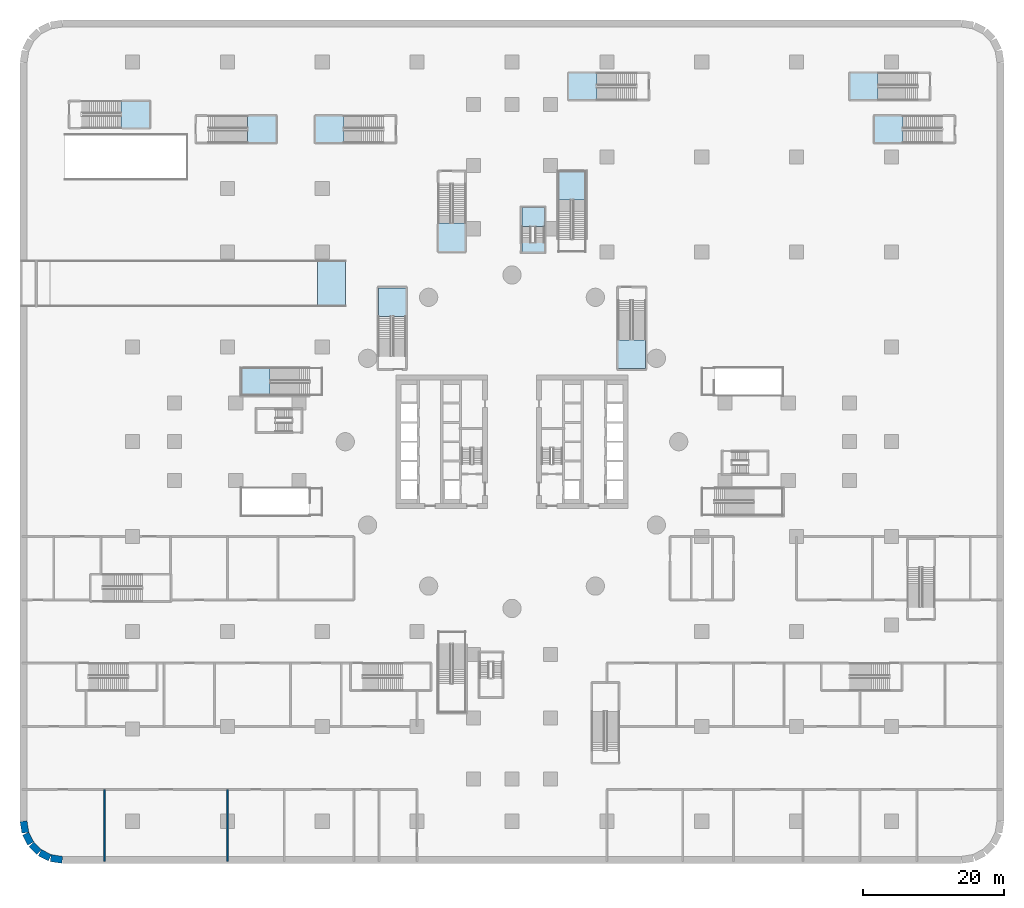
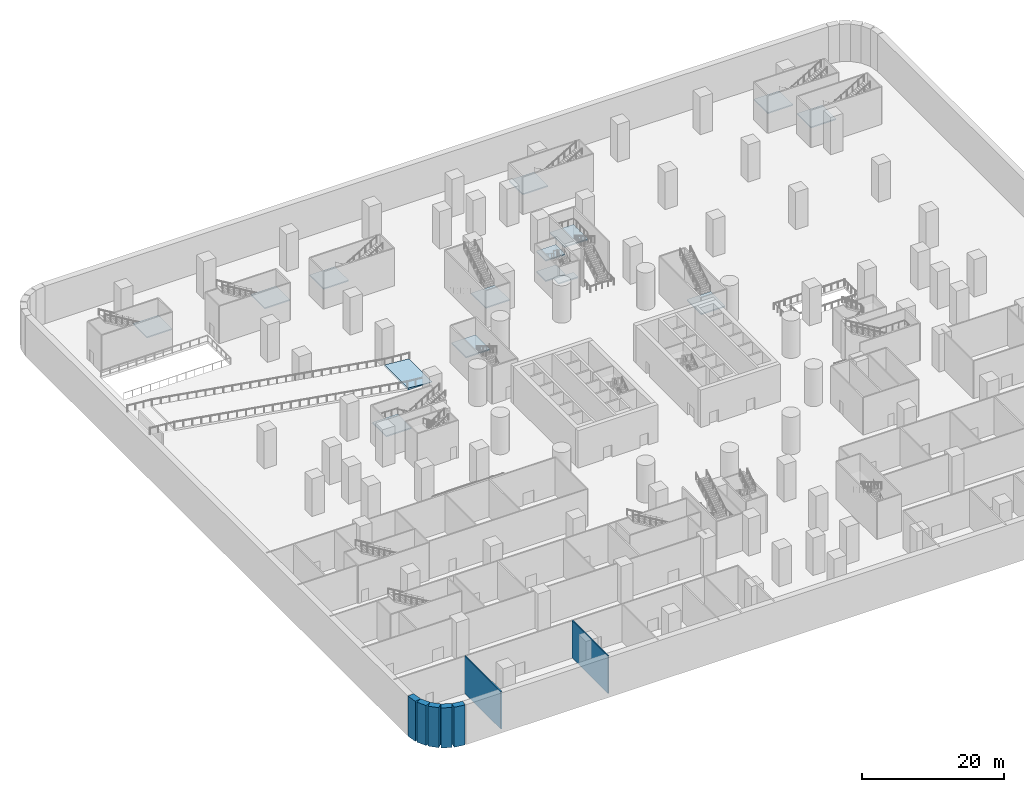
# One storey, part 2 of 37: 15 slabs, 7 walls, 12 elements without a shape of their own.
"""IFC4 building model written with IfcOpenShell, lengths in metres."""

from ifc_helpers import new_model, si_unit, direction, frame, frame_2d, origin, place, context, subcontext, project, spatial, polyline, rectangle, outline, extrude, material, layer, layer_set, type_object, element, aggregate, save


model = new_model("IFC4")

# Units and contexts
model_context = context("Model", 3, precision=1e-05, world=origin(), true_north=direction((0.0, 1.0)))
body_context = subcontext(model_context, "Body", "Model", "MODEL_VIEW")
ifc_project = project(units=[si_unit("LENGTHUNIT", "METRE"), si_unit("AREAUNIT", "SQUARE_METRE"), si_unit("VOLUMEUNIT", "CUBIC_METRE"), si_unit("PLANEANGLEUNIT", "RADIAN"), si_unit("MASSUNIT", "GRAM", prefix="KILO")], contexts=[model_context])

# Site, building, storey
site_placement = place(None, origin())
site = spatial("IfcSite", under=ifc_project, at=site_placement, CompositionType="ELEMENT")
building_placement = place(site_placement, origin())
building = spatial("IfcBuilding", under=site, at=building_placement, Name="Tamarind Cross Interchange Tower", CompositionType="ELEMENT")
storey_placement = place(building_placement, frame((0.0, 0.0, -7.0)))
storey = spatial("IfcBuildingStorey", under=building, at=storey_placement, Name="B1", CompositionType="ELEMENT", Elevation=-7.0)

# Slab
ifc_material_1 = material(Name="Concrete C40/50", Category="concrete")
ifc_layer_1 = layer(ifc_material_1, 0.35009765625)
ifc_layer_set_1 = layer_set([ifc_layer_1], Name="Concrete C40/50")
slab_type_1 = type_object("IfcSlabType", Name="Car park ramp slab", PredefinedType="LANDING", material=ifc_layer_set_1)
slab_1_placement = place(storey_placement, frame((-23.699951171875, 22.5, 0.0), z_axis=(0.0, 0.0, 1.0), x_axis=(-1.0, 0.0, 0.0)))
element("IfcSlab", 1, at=slab_1_placement, inside=storey, type_object=slab_type_1, Name="Car park ramp RA slab 1", PredefinedType="LANDING", context=body_context, shape_type="SweptSolid", body=[
    extrude(outline(polyline([(0.0, 0.0), (4.0, 0.0), (4.0, 0.333251953125), (0.0, 0.0), (0.0, 0.0)])), frame((0.0, 3.300048828125, 0.0), z_axis=(0.0, -1.0, 0.0), x_axis=(1.0, 0.0, 0.0)), (0.0, 0.0, 1.0), 6.60009765625),
])

# Stair, slab
ifc_material_2 = material(Name="Public stair")
stair_type_1 = type_object("IfcStairType", Name="Public stair", PredefinedType="HALF_TURN_STAIR", material=ifc_material_2)
stair_1_placement = place(storey_placement, origin())
stair_1 = element("IfcStair", 2, at=stair_1_placement, inside=storey, type_object=stair_type_1, Name="B1 public stair PS-W", PredefinedType="HALF_TURN_STAIR")
ifc_material_3 = material(Name="Concrete C40", Category="concrete")
ifc_layer_2 = layer(ifc_material_3, 0.199951171875)
ifc_layer_set_2 = layer_set([ifc_layer_2], Name="Concrete C40")
slab_type_2 = type_object("IfcSlabType", Name="Public stair landing", PredefinedType="LANDING", material=ifc_layer_set_2)
slab_2_placement = place(storey_placement, frame((0.0, 0.0, 3.300048828125)))
slab_2 = element("IfcSlab", 3, at=slab_2_placement, type_object=slab_type_2, Name="PS-W landing 1", PredefinedType="LANDING", context=body_context, shape_type="SweptSolid", body=[
    extrude(outline(polyline([(-34.39990234375, 10.5), (-38.5, 10.5), (-38.5, 6.60009765625), (-34.39990234375, 6.60009765625), (-34.39990234375, 10.5)])), origin(), (0.0, 0.0, 1.0), 0.199951171875),
])
aggregate(stair_1, [slab_2])

stair_2_placement = place(storey_placement, origin())
stair_2 = element("IfcStair", 4, at=stair_2_placement, inside=storey, type_object=stair_type_1, Name="B1 public stair PS-N", PredefinedType="HALF_TURN_STAIR")
slab_3_placement = place(storey_placement, frame((0.0, 0.0, 3.300048828125)))
slab_3 = element("IfcSlab", 5, at=slab_3_placement, type_object=slab_type_2, Name="PS-N landing 1", PredefinedType="LANDING", context=body_context, shape_type="SweptSolid", body=[
    extrude(outline(polyline([(10.5, 34.39990234375), (10.5, 38.5), (6.60009765625, 38.5), (6.60009765625, 34.39990234375), (10.5, 34.39990234375)])), origin(), (0.0, 0.0, 1.0), 0.199951171875),
])
aggregate(stair_2, [slab_3])

stair_3_placement = place(storey_placement, origin())
stair_3 = element("IfcStair", 6, at=stair_3_placement, inside=storey, type_object=stair_type_1, Name="B1 exit stair XS-W", PredefinedType="HALF_TURN_STAIR")
slab_4_placement = place(storey_placement, frame((0.0, 0.0, 3.300048828125)))
slab_4 = element("IfcSlab", 7, at=slab_4_placement, type_object=slab_type_2, Name="XS-W landing 1", PredefinedType="LANDING", context=body_context, shape_type="SweptSolid", body=[
    extrude(outline(polyline([(-15.10009765625, 17.800048828125), (-15.10009765625, 21.89990234375), (-19.0, 21.89990234375), (-19.0, 17.800048828125), (-15.10009765625, 17.800048828125)])), origin(), (0.0, 0.0, 1.0), 0.199951171875),
])
aggregate(stair_3, [slab_4])

stair_4_placement = place(storey_placement, origin())
stair_4 = element("IfcStair", 8, at=stair_4_placement, inside=storey, type_object=stair_type_1, Name="B1 exit stair XS-E", PredefinedType="HALF_TURN_STAIR")
slab_5_placement = place(storey_placement, frame((0.0, 0.0, 3.300048828125)))
slab_5 = element("IfcSlab", 9, at=slab_5_placement, type_object=slab_type_2, Name="XS-E landing 1", PredefinedType="LANDING", context=body_context, shape_type="SweptSolid", body=[
    extrude(outline(polyline([(15.10009765625, 14.5), (15.10009765625, 10.39990234375), (19.0, 10.39990234375), (19.0, 14.5), (15.10009765625, 14.5)])), origin(), (0.0, 0.0, 1.0), 0.199951171875),
])
aggregate(stair_4, [slab_5])

stair_5_placement = place(storey_placement, origin())
stair_5 = element("IfcStair", 10, at=stair_5_placement, inside=storey, type_object=stair_type_1, Name="B1 exit stair XS-P01", PredefinedType="HALF_TURN_STAIR")
slab_6_placement = place(storey_placement, frame((0.0, 0.0, 3.300048828125)))
slab_6 = element("IfcSlab", 11, at=slab_6_placement, type_object=slab_type_2, Name="XS-P01 landing 1", PredefinedType="LANDING", context=body_context, shape_type="SweptSolid", body=[
    extrude(outline(polyline([(52.10009765625, 52.5), (48.0, 52.5), (48.0, 48.60009765625), (52.10009765625, 48.60009765625), (52.10009765625, 52.5)])), origin(), (0.0, 0.0, 1.0), 0.199951171875),
])
aggregate(stair_5, [slab_6])

stair_6_placement = place(storey_placement, origin())
stair_6 = element("IfcStair", 12, at=stair_6_placement, inside=storey, type_object=stair_type_1, Name="B1 exit stair XS-P02", PredefinedType="HALF_TURN_STAIR")
slab_7_placement = place(storey_placement, frame((0.0, 0.0, 3.300048828125)))
slab_7 = element("IfcSlab", 13, at=slab_7_placement, type_object=slab_type_2, Name="XS-P02 landing 1", PredefinedType="LANDING", context=body_context, shape_type="SweptSolid", body=[
    extrude(outline(polyline([(55.60009765625, 46.39990234375), (51.5, 46.39990234375), (51.5, 42.5), (55.60009765625, 42.5), (55.60009765625, 46.39990234375)])), origin(), (0.0, 0.0, 1.0), 0.199951171875),
])
aggregate(stair_6, [slab_7])

stair_7_placement = place(storey_placement, origin())
stair_7 = element("IfcStair", 14, at=stair_7_placement, inside=storey, type_object=stair_type_1, Name="B1 exit stair XS-P03", PredefinedType="HALF_TURN_STAIR")
slab_8_placement = place(storey_placement, frame((0.0, 0.0, 3.300048828125)))
slab_8 = element("IfcSlab", 15, at=slab_8_placement, type_object=slab_type_2, Name="XS-P03 landing 1", PredefinedType="LANDING", context=body_context, shape_type="SweptSolid", body=[
    extrude(outline(polyline([(12.10009765625, 52.5), (8.0, 52.5), (8.0, 48.60009765625), (12.10009765625, 48.60009765625), (12.10009765625, 52.5)])), origin(), (0.0, 0.0, 1.0), 0.199951171875),
])
aggregate(stair_7, [slab_8])

stair_8_placement = place(storey_placement, origin())
stair_8 = element("IfcStair", 16, at=stair_8_placement, inside=storey, type_object=stair_type_1, Name="B1 exit stair XS-P04", PredefinedType="HALF_TURN_STAIR")
slab_9_placement = place(storey_placement, frame((0.0, 0.0, 3.300048828125)))
slab_9 = element("IfcSlab", 17, at=slab_9_placement, type_object=slab_type_2, Name="XS-P04 landing 1", PredefinedType="LANDING", context=body_context, shape_type="SweptSolid", body=[
    extrude(outline(polyline([(-37.60009765625, 42.5), (-33.5, 42.5), (-33.5, 46.39990234375), (-37.60009765625, 46.39990234375), (-37.60009765625, 42.5)])), origin(), (0.0, 0.0, 1.0), 0.199951171875),
])
aggregate(stair_8, [slab_9])

stair_9_placement = place(storey_placement, origin())
stair_9 = element("IfcStair", 18, at=stair_9_placement, inside=storey, type_object=stair_type_1, Name="B1 exit stair XS-P05", PredefinedType="HALF_TURN_STAIR")
slab_10_placement = place(storey_placement, frame((0.0, 0.0, 3.300048828125)))
slab_10 = element("IfcSlab", 19, at=slab_10_placement, type_object=slab_type_2, Name="XS-P05 landing 1", PredefinedType="LANDING", context=body_context, shape_type="SweptSolid", body=[
    extrude(outline(polyline([(-55.60009765625, 44.60009765625), (-51.5, 44.60009765625), (-51.5, 48.5), (-55.60009765625, 48.5), (-55.60009765625, 44.60009765625)])), origin(), (0.0, 0.0, 1.0), 0.199951171875),
])
aggregate(stair_9, [slab_10])

stair_10_placement = place(storey_placement, origin())
stair_10 = element("IfcStair", 20, at=stair_10_placement, inside=storey, type_object=stair_type_1, Name="B1 exit stair XS-P06", PredefinedType="HALF_TURN_STAIR")
slab_11_placement = place(storey_placement, frame((0.0, 0.0, 3.300048828125)))
slab_11 = element("IfcSlab", 21, at=slab_11_placement, type_object=slab_type_2, Name="XS-P06 landing 1", PredefinedType="LANDING", context=body_context, shape_type="SweptSolid", body=[
    extrude(outline(polyline([(-23.89990234375, 46.39990234375), (-28.0, 46.39990234375), (-28.0, 42.5), (-23.89990234375, 42.5), (-23.89990234375, 46.39990234375)])), origin(), (0.0, 0.0, 1.0), 0.199951171875),
])
aggregate(stair_10, [slab_11])

stair_11_placement = place(storey_placement, origin())
stair_11 = element("IfcStair", 22, at=stair_11_placement, inside=storey, type_object=stair_type_1, Name="B1 exit stair XS-P13", PredefinedType="HALF_TURN_STAIR")
slab_12_placement = place(storey_placement, frame((0.0, 0.0, 3.300048828125)))
slab_12 = element("IfcSlab", 23, at=slab_12_placement, type_object=slab_type_2, Name="XS-P13 landing 1", PredefinedType="LANDING", context=body_context, shape_type="SweptSolid", body=[
    extrude(outline(polyline([(-10.5, 31.10009765625), (-10.5, 27.0), (-6.60009765625, 27.0), (-6.60009765625, 31.10009765625), (-10.5, 31.10009765625)])), origin(), (0.0, 0.0, 1.0), 0.199951171875),
])
aggregate(stair_11, [slab_12])

# Stair, slabs
ifc_material_4 = material(Name="Exit stair")
stair_type_2 = type_object("IfcStairType", Name="Exit stair", PredefinedType="HALF_TURN_STAIR", material=ifc_material_4)
stair_12_placement = place(storey_placement, origin())
stair_12 = element("IfcStair", 24, at=stair_12_placement, inside=storey, type_object=stair_type_2, Name="B1 exit stair ST4", PredefinedType="HALF_TURN_STAIR")
ifc_layer_3 = layer(ifc_material_3, 0.199951171875)
ifc_layer_set_3 = layer_set([ifc_layer_3], Name="Concrete C40")
slab_type_3 = type_object("IfcSlabType", Name="Stair landing", PredefinedType="LANDING", material=ifc_layer_set_3)
slab_13_placement = place(storey_placement, frame((0.0, 0.0, 1.550048828125)))
slab_13 = element("IfcSlab", 25, at=slab_13_placement, type_object=slab_type_3, Name="ST4 landing 1", PredefinedType="LANDING", context=body_context, shape_type="SweptSolid", body=[
    extrude(outline(polyline([(4.60009765625, 30.6279296875), (4.60009765625, 33.300048828125), (1.39990234375, 33.300048828125), (1.39990234375, 30.6279296875), (4.60009765625, 30.6279296875)])), origin(), (0.0, 0.0, 1.0), 0.199951171875),
])
slab_14_placement = place(storey_placement, frame((0.0, 0.0, 3.300048828125)))
slab_14 = element("IfcSlab", 26, at=slab_14_placement, type_object=slab_type_3, Name="ST4 landing 2", PredefinedType="LANDING", context=body_context, shape_type="SweptSolid", body=[
    extrude(outline(polyline([(4.60009765625, 27.0), (4.60009765625, 28.31201171875), (1.39990234375, 28.31201171875), (1.39990234375, 27.0), (4.60009765625, 27.0)])), origin(), (0.0, 0.0, 1.0), 0.199951171875),
])
slab_15_placement = place(storey_placement, frame((0.0, 0.0, 5.050048828125)))
slab_15 = element("IfcSlab", 27, at=slab_15_placement, type_object=slab_type_3, Name="ST4 landing 3", PredefinedType="LANDING", context=body_context, shape_type="SweptSolid", body=[
    extrude(outline(polyline([(4.60009765625, 30.6279296875), (4.60009765625, 33.300048828125), (1.39990234375, 33.300048828125), (1.39990234375, 30.6279296875), (4.60009765625, 30.6279296875)])), origin(), (0.0, 0.0, 1.0), 0.199951171875),
])
aggregate(stair_12, [slab_13, slab_14, slab_15])

# Walls
ifc_layer_4 = layer(ifc_material_3, 1.0)
ifc_layer_set_4 = layer_set([ifc_layer_4], Name="Concrete C40")
wall_type_1 = type_object("IfcWallType", Name="Basement wall 1000 Concrete C40", PredefinedType="SOLIDWALL", material=ifc_layer_set_4)
wall_1_placement = place(storey_placement, frame((-63.989501953125, -59.495361328125, -0.449951171875), z_axis=(0.0, 0.0, 1.0), x_axis=(-0.987688946427, 0.156430639922, 0.0)))
element("IfcWall", 28, at=wall_1_placement, inside=storey, type_object=wall_type_1, Name="Basement wall B1-2", PredefinedType="SOLIDWALL", context=body_context, shape_type="SweptSolid", body=[
    extrude(rectangle(XDim=1.66064453125, YDim=1.0, at=frame_2d((0.830322265625, 0.0))), origin(), (0.0, 0.0, 1.0), 6.89990234375),
])
for number, where, z_axis, x_axis, name in (
    (29, (-65.759033203125, -59.193603515625, -0.449951171875), (0.0, 0.0, 1.0), (-0.891004140764, 0.453995177443, 0.0), "Basement wall B1-3"),
    (30, (-67.27783203125, -58.395751953125, -0.449951171875), (0.0, 0.0, 1.0), (-0.707106781187, 0.707106781187, 0.0), "Basement wall B1-4"),
    (31, (-68.475830078125, -57.167724609375, -0.449951171875), (0.0, 0.0, 1.0), (-0.453995177443, 0.891004140764, 0.0), "Basement wall B1-5"),
):
    element("IfcWall", number, at=place(storey_placement, frame(where, z_axis=z_axis, x_axis=x_axis)), inside=storey, type_object=wall_type_1, Name=name, PredefinedType="SOLIDWALL", context=body_context, shape_type="SweptSolid", body=[
        extrude(rectangle(XDim=1.5810546875, YDim=1.0, at=frame_2d((0.79052734375, 0.0))), origin(), (0.0, 0.0, 1.0), 6.89990234375),
    ])
wall_2_placement = place(storey_placement, frame((-69.235595703125, -55.629638671875, -0.449951171875), z_axis=(0.0, 0.0, 1.0), x_axis=(-0.156430639922, 0.987688946427, 0.0)))
element("IfcWall", 32, at=wall_2_placement, inside=storey, type_object=wall_type_1, Name="Basement wall B1-6", PredefinedType="SOLIDWALL", context=body_context, shape_type="SweptSolid", body=[
    extrude(rectangle(XDim=1.66064453125, YDim=1.0, at=frame_2d((0.830322265625, 0.0))), origin(), (0.0, 0.0, 1.0), 6.89990234375),
])
ifc_material_5 = material(Name="Masonry partition, fire-rated", Category="masonry")
ifc_layer_5 = layer(ifc_material_5, 0.199951171875)
ifc_layer_set_5 = layer_set([ifc_layer_5], Name="Masonry partition, fire-rated")
wall_type_2 = type_object("IfcWallType", Name="Fire partition 200 EI 120", PredefinedType="PARTITIONING", material=ifc_layer_set_5)
for number, where, z_axis, x_axis, name in (
    (33, (-58.0, -59.698974609375, 0.0), (0.0, 0.0, 1.0), (0.0, 1.0, 0.0), "B1 partition 69"),
    (34, (-40.5, -59.698974609375, 0.0), (0.0, 0.0, 1.0), (0.0, 1.0, 0.0), "B1 partition 75"),
):
    element("IfcWall", number, at=place(storey_placement, frame(where, z_axis=z_axis, x_axis=x_axis)), inside=storey, type_object=wall_type_2, Name=name, PredefinedType="PARTITIONING", context=body_context, shape_type="SweptSolid", body=[
        extrude(rectangle(XDim=10.198974609375, YDim=0.199951171875, at=frame_2d((5.099609375, 0.0))), origin(), (0.0, 0.0, 1.0), 6.449951171875),
    ])

save(model, "model.ifc")
